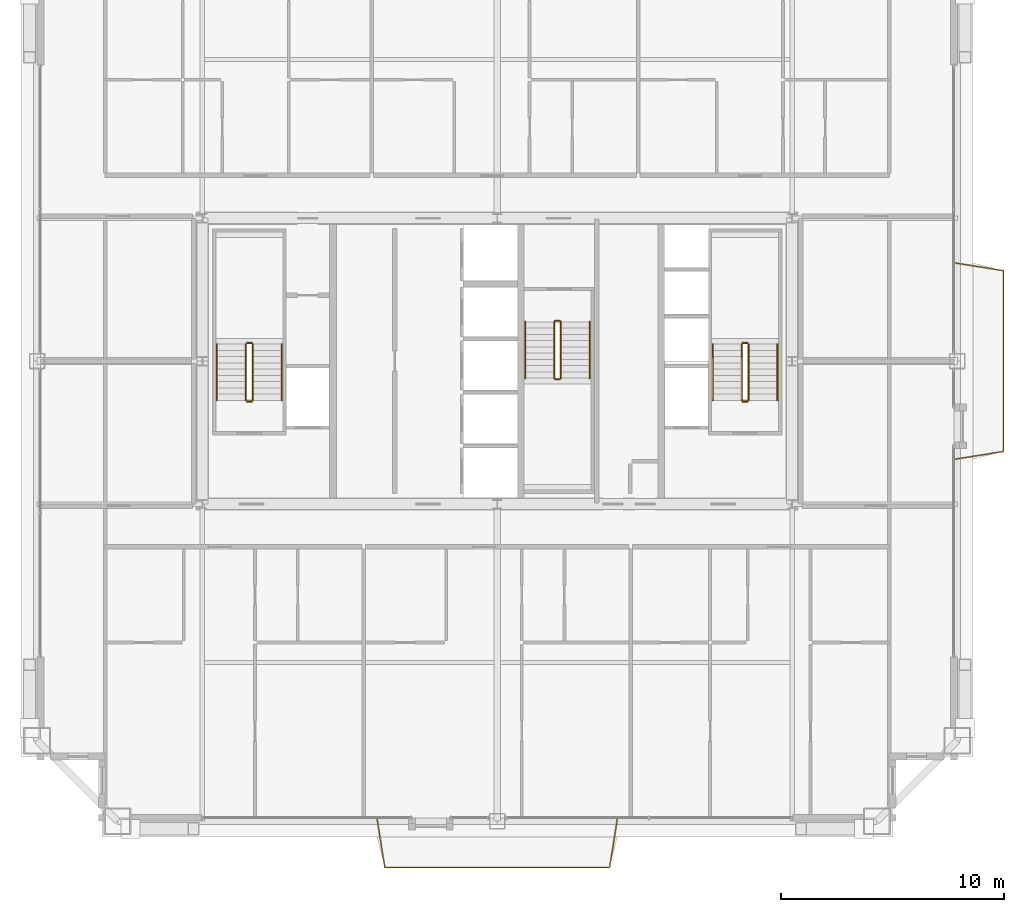
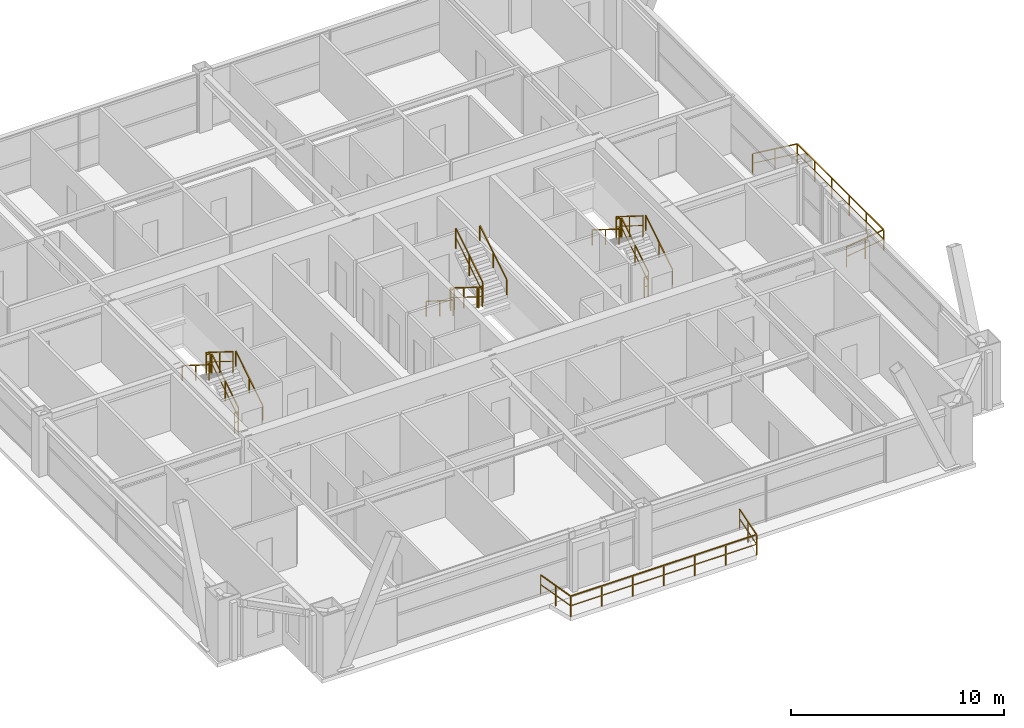
# One storey, part 35 of 35: 20 railings.
"""IFC4 building model written with IfcOpenShell, lengths in metres."""

from ifc_helpers import new_model, si_unit, direction, frame, origin, origin_2d, place, context, subcontext, project, spatial, rectangle, extrude, source, transform, mapped, material, layer, layer_set, type_object, element, save


model = new_model("IFC4")

# Units and contexts
model_context = context("Model", 3, precision=1e-05, world=origin(), true_north=direction((0.0, 1.0)))
body_context = subcontext(model_context, "Body", "Model", "MODEL_VIEW")
ifc_project = project(units=[si_unit("LENGTHUNIT", "METRE"), si_unit("AREAUNIT", "SQUARE_METRE"), si_unit("VOLUMEUNIT", "CUBIC_METRE"), si_unit("PLANEANGLEUNIT", "RADIAN"), si_unit("MASSUNIT", "GRAM", prefix="KILO"), si_unit("THERMODYNAMICTEMPERATUREUNIT", "KELVIN"), si_unit("POWERUNIT", "WATT")], contexts=[model_context])

# Site, building, storey
site_placement = place(None, origin())
site = spatial("IfcSite", under=ifc_project, at=site_placement, CompositionType="ELEMENT")
building_placement = place(site_placement, origin())
building = spatial("IfcBuilding", under=site, at=building_placement, Name="Yuzanri Waterfront Tower", CompositionType="ELEMENT")
storey_placement = place(building_placement, frame((0.0, 0.0, 248.60009765625)))
storey = spatial("IfcBuildingStorey", under=building, at=storey_placement, Name="L66", CompositionType="ELEMENT", Elevation=248.60009765625)

# Railings
ifc_material_1 = material(Name="Anodized Architectural Bronze", Category="metal")
ifc_layer_1 = layer(ifc_material_1, 0.080078125)
ifc_layer_set_1 = layer_set([ifc_layer_1], Name="Anodized Architectural Bronze")
railing_type_1 = type_object("IfcRailingType", Name="Laminated Glass and Bronze Balcony Guardrail 1200", PredefinedType="BALUSTRADE", material=ifc_layer_set_1)
shared_shape_1 = source(origin(), body_context, "Body", "SweptSolid", [
    extrude(rectangle(XDim=0.050048828125, YDim=0.050048828125, at=origin_2d()), frame((0.0, 0.0, 1.1748046875), z_axis=(0.156113512569, -0.98773912102, 0.0), x_axis=(0.98773912102, 0.156113512569, 0.0)), (0.0, 0.0, 1.0), 2.24267578125),
    extrude(rectangle(XDim=0.035888671875, YDim=0.030029296875, at=origin_2d()), frame((0.0, 0.0, 0.6240234375), z_axis=(0.156113512569, -0.98773912102, 0.0), x_axis=(0.98773912102, 0.156113512569, 0.0)), (0.0, 0.0, 1.0), 2.24267578125),
    extrude(rectangle(XDim=0.050048828125, YDim=0.050048828125, at=origin_2d()), frame((0.35009765625, -2.215087890625, 1.1748046875), z_axis=(1.0, 0.0, 0.0), x_axis=(0.0, 1.0, 0.0)), (0.0, 0.0, 1.0), 10.07080078125),
    extrude(rectangle(XDim=0.035888671875, YDim=0.030029296875, at=origin_2d()), frame((0.35009765625, -2.215087890625, 0.6240234375), z_axis=(1.0, 0.0, 0.0), x_axis=(0.0, 1.0, 0.0)), (0.0, 0.0, 1.0), 10.07080078125),
    extrude(rectangle(XDim=0.050048828125, YDim=0.050048828125, at=origin_2d()), frame((10.4208984375, -2.215087890625, 1.1748046875), z_axis=(0.156113512569, 0.98773912102, 0.0), x_axis=(-0.98773912102, 0.156113512569, 0.0)), (0.0, 0.0, 1.0), 2.24267578125),
    extrude(rectangle(XDim=0.035888671875, YDim=0.030029296875, at=origin_2d()), frame((10.4208984375, -2.215087890625, 0.6240234375), z_axis=(0.156113512569, 0.98773912102, 0.0), x_axis=(-0.98773912102, 0.156113512569, 0.0)), (0.0, 0.0, 1.0), 2.24267578125),
    extrude(rectangle(XDim=0.0458984375, YDim=0.0458984375, at=origin_2d()), origin(), (0.0, 0.0, 1.0), 1.14990234375),
    extrude(rectangle(XDim=0.0458984375, YDim=0.0458984375, at=origin_2d()), frame((0.175048828125, -1.107421875, 0.0)), (0.0, 0.0, 1.0), 1.14990234375),
    extrude(rectangle(XDim=0.0458984375, YDim=0.0458984375, at=origin_2d()), frame((0.35009765625, -2.215087890625, 0.0)), (0.0, 0.0, 1.0), 1.14990234375),
    extrude(rectangle(XDim=0.0458984375, YDim=0.0458984375, at=origin_2d()), frame((2.028564453125, -2.215087890625, 0.0)), (0.0, 0.0, 1.0), 1.14990234375),
    extrude(rectangle(XDim=0.0458984375, YDim=0.0458984375, at=origin_2d()), frame((3.70703125, -2.215087890625, 0.0)), (0.0, 0.0, 1.0), 1.14990234375),
    extrude(rectangle(XDim=0.0458984375, YDim=0.0458984375, at=origin_2d()), frame((5.385498046875, -2.215087890625, 0.0)), (0.0, 0.0, 1.0), 1.14990234375),
    extrude(rectangle(XDim=0.0458984375, YDim=0.0458984375, at=origin_2d()), frame((7.06396484375, -2.215087890625, 0.0)), (0.0, 0.0, 1.0), 1.14990234375),
    extrude(rectangle(XDim=0.0458984375, YDim=0.0458984375, at=origin_2d()), frame((8.742431640625, -2.215087890625, 0.0)), (0.0, 0.0, 1.0), 1.14990234375),
    extrude(rectangle(XDim=0.0458984375, YDim=0.0458984375, at=origin_2d()), frame((10.4208984375, -2.215087890625, 0.0)), (0.0, 0.0, 1.0), 1.14990234375),
    extrude(rectangle(XDim=0.0458984375, YDim=0.0458984375, at=origin_2d()), frame((10.595947265625, -1.107421875, 0.0)), (0.0, 0.0, 1.0), 1.14990234375),
    extrude(rectangle(XDim=0.0458984375, YDim=0.0458984375, at=origin_2d()), frame((10.77099609375, 0.0, 0.0)), (0.0, 0.0, 1.0), 1.14990234375),
])
railing_1_placement = place(storey_placement, frame((31.614501953125, 5.35009765625, 0.0)))
element("IfcRailing", 1, at=railing_1_placement, inside=storey, type_object=railing_type_1, Name="L66 S Engawa Terrace Guardrail", PredefinedType="BALUSTRADE", context=body_context, shape_type="MappedRepresentation", body=[
    mapped(shared_shape_1, transform((0.0, 0.0, 0.0), scale=1.0)),
])
shared_shape_2 = source(origin(), body_context, "Body", "SweptSolid", [
    extrude(rectangle(XDim=0.050048828125, YDim=0.050048828125, at=origin_2d()), frame((0.0, 0.0, 1.1748046875), z_axis=(0.98773912102, 0.156113512569, 0.0), x_axis=(-0.156113512569, 0.98773912102, 0.0)), (0.0, 0.0, 1.0), 2.24267578125),
    extrude(rectangle(XDim=0.035888671875, YDim=0.030029296875, at=origin_2d()), frame((0.0, 0.0, 0.6240234375), z_axis=(0.98773912102, 0.156113512569, 0.0), x_axis=(-0.156113512569, 0.98773912102, 0.0)), (0.0, 0.0, 1.0), 2.24267578125),
    extrude(rectangle(XDim=0.050048828125, YDim=0.050048828125, at=origin_2d()), frame((2.215087890625, 0.35009765625, 1.1748046875), z_axis=(0.0, 1.0, 0.0), x_axis=(-1.0, 0.0, 0.0)), (0.0, 0.0, 1.0), 8.10009765625),
    extrude(rectangle(XDim=0.035888671875, YDim=0.030029296875, at=origin_2d()), frame((2.215087890625, 0.35009765625, 0.6240234375), z_axis=(0.0, 1.0, 0.0), x_axis=(-1.0, 0.0, 0.0)), (0.0, 0.0, 1.0), 8.10009765625),
    extrude(rectangle(XDim=0.050048828125, YDim=0.050048828125, at=origin_2d()), frame((2.215087890625, 8.4501953125, 1.1748046875), z_axis=(-0.987755902633, 0.156007297308, 0.0), x_axis=(-0.156007297308, -0.987755902633, 0.0)), (0.0, 0.0, 1.0), 2.242431640625),
    extrude(rectangle(XDim=0.035888671875, YDim=0.030029296875, at=origin_2d()), frame((2.215087890625, 8.4501953125, 0.6240234375), z_axis=(-0.987755902633, 0.156007297308, 0.0), x_axis=(-0.156007297308, -0.987755902633, 0.0)), (0.0, 0.0, 1.0), 2.242431640625),
    extrude(rectangle(XDim=0.0458984375, YDim=0.0458984375, at=origin_2d()), origin(), (0.0, 0.0, 1.0), 1.14990234375),
    extrude(rectangle(XDim=0.0458984375, YDim=0.0458984375, at=origin_2d()), frame((1.107421875, 0.175048828125, 0.0)), (0.0, 0.0, 1.0), 1.14990234375),
    extrude(rectangle(XDim=0.0458984375, YDim=0.0458984375, at=origin_2d()), frame((2.215087890625, 0.35009765625, 0.0)), (0.0, 0.0, 1.0), 1.14990234375),
    extrude(rectangle(XDim=0.0458984375, YDim=0.0458984375, at=origin_2d()), frame((2.215087890625, 1.97021484375, 0.0)), (0.0, 0.0, 1.0), 1.14990234375),
    extrude(rectangle(XDim=0.0458984375, YDim=0.0458984375, at=origin_2d()), frame((2.215087890625, 3.590087890625, 0.0)), (0.0, 0.0, 1.0), 1.14990234375),
    extrude(rectangle(XDim=0.0458984375, YDim=0.0458984375, at=origin_2d()), frame((2.215087890625, 5.210205078125, 0.0)), (0.0, 0.0, 1.0), 1.14990234375),
    extrude(rectangle(XDim=0.0458984375, YDim=0.0458984375, at=origin_2d()), frame((2.215087890625, 6.830078125, 0.0)), (0.0, 0.0, 1.0), 1.14990234375),
    extrude(rectangle(XDim=0.0458984375, YDim=0.0458984375, at=origin_2d()), frame((2.215087890625, 8.4501953125, 0.0)), (0.0, 0.0, 1.0), 1.14990234375),
    extrude(rectangle(XDim=0.0458984375, YDim=0.0458984375, at=origin_2d()), frame((1.107421875, 8.625, 0.0)), (0.0, 0.0, 1.0), 1.14990234375),
    extrude(rectangle(XDim=0.0458984375, YDim=0.0458984375, at=origin_2d()), frame((0.0, 8.800048828125, 0.0)), (0.0, 0.0, 1.0), 1.14990234375),
])
railing_2_placement = place(storey_placement, frame((57.449951171875, 21.39990234375, 0.0)))
element("IfcRailing", 2, at=railing_2_placement, inside=storey, type_object=railing_type_1, Name="L66 E Engawa Terrace Guardrail", PredefinedType="BALUSTRADE", context=body_context, shape_type="MappedRepresentation", body=[
    mapped(shared_shape_2, transform((0.0, 0.0, 0.0), scale=1.0)),
])
ifc_material_2 = material(Name="Painted Galvanized Fire Steel", Category="steel")
ifc_layer_2 = layer(ifc_material_2, 0.06005859375)
ifc_layer_set_2 = layer_set([ifc_layer_2], Name="Painted Galvanized Fire Steel")
railing_type_2 = type_object("IfcRailingType", Name="Painted Steel Stairwell Guardrail 1120", PredefinedType="GUARDRAIL", material=ifc_layer_set_2)
shared_shape_3 = source(origin(), body_context, "Body", "SweptSolid", [
    extrude(rectangle(XDim=0.050048828125, YDim=0.050048828125, at=origin_2d()), frame((0.0, 0.0, 1.1748046875), z_axis=(-1.0, 0.0, 0.0), x_axis=(0.0, -1.0, 0.0)), (0.0, 0.0, 1.0), 0.199951171875),
    extrude(rectangle(XDim=0.035888671875, YDim=0.030029296875, at=origin_2d()), frame((0.0, 0.0, 0.6240234375), z_axis=(-1.0, 0.0, 0.0), x_axis=(0.0, -1.0, 0.0)), (0.0, 0.0, 1.0), 0.199951171875),
    extrude(rectangle(XDim=0.0458984375, YDim=0.0458984375, at=origin_2d()), origin(), (0.0, 0.0, 1.0), 1.14990234375),
    extrude(rectangle(XDim=0.0458984375, YDim=0.0458984375, at=origin_2d()), frame((-0.199951171875, 0.0, 0.0)), (0.0, 0.0, 1.0), 1.14990234375),
])
for number, where, name in (
    (3, (26.0, 26.610107421875, 1.75), "L66 ST-01 stair guard 2"),
    (4, (26.0, 23.989990234375, 0.0), "L66 ST-01 stair guard 4"),
    (5, (48.199951171875, 26.610107421875, 1.75), "L66 ST-02 stair guard 2"),
    (6, (48.199951171875, 23.989990234375, 0.0), "L66 ST-02 stair guard 4"),
):
    element("IfcRailing", number, at=place(storey_placement, frame(where)), inside=storey, type_object=railing_type_2, Name=name, PredefinedType="GUARDRAIL", context=body_context, shape_type="MappedRepresentation", body=[
        mapped(shared_shape_3, transform((0.0, 0.0, 0.0), scale=1.0)),
    ])
shared_shape_4 = source(origin(), body_context, "Body", "SweptSolid", [
    extrude(rectangle(XDim=0.050048828125, YDim=0.050048828125, at=origin_2d()), frame((0.0, 0.0, 1.1748046875), z_axis=(0.0, 0.847970611238, 0.530043245855), x_axis=(-1.0, 0.0, 0.0)), (0.0, 0.0, 1.0), 2.971923828125),
    extrude(rectangle(XDim=0.035888671875, YDim=0.030029296875, at=origin_2d()), frame((0.0, 0.0, 0.6240234375), z_axis=(0.0, 0.847970611238, 0.530043245855), x_axis=(-1.0, 0.0, 0.0)), (0.0, 0.0, 1.0), 2.971923828125),
    extrude(rectangle(XDim=0.0458984375, YDim=0.0458984375, at=origin_2d()), origin(), (0.0, 0.0, 1.0), 1.14990234375),
    extrude(rectangle(XDim=0.0458984375, YDim=0.0458984375, at=origin_2d()), frame((0.0, 1.260009765625, 0.78759765625)), (0.0, 0.0, 1.0), 1.14990234375),
    extrude(rectangle(XDim=0.0458984375, YDim=0.0458984375, at=origin_2d()), frame((0.0, 2.52001953125, 1.5751953125)), (0.0, 0.0, 1.0), 1.14990234375),
])
for number, where, name in (
    (7, (26.050048828125, 24.0400390625, 0.1748046875), "L66 ST-01 stair guard 1"),
    (8, (48.25, 24.0400390625, 0.1748046875), "L66 ST-02 stair guard 1"),
    (9, (39.85009765625, 25.0400390625, 1.9248046875), "L66 ST-03 stair guard 3"),
):
    element("IfcRailing", number, at=place(storey_placement, frame(where)), inside=storey, type_object=railing_type_2, Name=name, PredefinedType="GUARDRAIL", context=body_context, shape_type="MappedRepresentation", body=[
        mapped(shared_shape_4, transform((0.0, 0.0, 0.0), scale=1.0)),
    ])
shared_shape_5 = source(origin(), body_context, "Body", "SweptSolid", [
    extrude(rectangle(XDim=0.050048828125, YDim=0.050048828125, at=origin_2d()), frame((0.0, 0.0, 1.1748046875), z_axis=(0.0, -0.847970611238, 0.530043245855), x_axis=(1.0, 0.0, 0.0)), (0.0, 0.0, 1.0), 2.971923828125),
    extrude(rectangle(XDim=0.035888671875, YDim=0.030029296875, at=origin_2d()), frame((0.0, 0.0, 0.6240234375), z_axis=(0.0, -0.847970611238, 0.530043245855), x_axis=(1.0, 0.0, 0.0)), (0.0, 0.0, 1.0), 2.971923828125),
    extrude(rectangle(XDim=0.0458984375, YDim=0.0458984375, at=origin_2d()), origin(), (0.0, 0.0, 1.0), 1.14990234375),
    extrude(rectangle(XDim=0.0458984375, YDim=0.0458984375, at=origin_2d()), frame((0.0, -1.260009765625, 0.78759765625)), (0.0, 0.0, 1.0), 1.14990234375),
    extrude(rectangle(XDim=0.0458984375, YDim=0.0458984375, at=origin_2d()), frame((0.0, -2.52001953125, 1.5751953125)), (0.0, 0.0, 1.0), 1.14990234375),
])
for number, where, name in (
    (10, (25.75, 26.56005859375, 1.9248046875), "L66 ST-01 stair guard 3"),
    (11, (47.949951171875, 26.56005859375, 1.9248046875), "L66 ST-02 stair guard 3"),
    (12, (39.550048828125, 27.56005859375, 0.1748046875), "L66 ST-03 stair guard 1"),
):
    element("IfcRailing", number, at=place(storey_placement, frame(where)), inside=storey, type_object=railing_type_2, Name=name, PredefinedType="GUARDRAIL", context=body_context, shape_type="MappedRepresentation", body=[
        mapped(shared_shape_5, transform((0.0, 0.0, 0.0), scale=1.0)),
    ])
ifc_material_3 = material(Name="Anodized Architectural Bronze", Category="metal")
ifc_layer_3 = layer(ifc_material_3, 0.050048828125)
ifc_layer_set_3 = layer_set([ifc_layer_3], Name="Anodized Architectural Bronze")
railing_type_3 = type_object("IfcRailingType", Name="Brushed Bronze Stair Pitch Handrail 920", PredefinedType="HANDRAIL", material=ifc_layer_set_3)
shared_shape_6 = source(origin(), body_context, "Body", "SweptSolid", [
    extrude(rectangle(XDim=0.050048828125, YDim=0.050048828125, at=origin_2d()), frame((0.0, 0.0, 0.875), z_axis=(0.0, 0.847970611238, 0.530043245855), x_axis=(-1.0, 0.0, 0.0)), (0.0, 0.0, 1.0), 2.971923828125),
    extrude(rectangle(XDim=0.0458984375, YDim=0.0458984375, at=origin_2d()), origin(), (0.0, 0.0, 1.0), 0.849853515625),
    extrude(rectangle(XDim=0.0458984375, YDim=0.0458984375, at=origin_2d()), frame((0.0, 1.260009765625, 0.78759765625)), (0.0, 0.0, 1.0), 0.849853515625),
    extrude(rectangle(XDim=0.0458984375, YDim=0.0458984375, at=origin_2d()), frame((0.0, 2.52001953125, 1.5751953125)), (0.0, 0.0, 1.0), 0.849853515625),
])
for number, where, name in (
    (13, (27.35009765625, 24.0400390625, 0.1748046875), "L66 ST-01 stair handrail 1"),
    (14, (49.550048828125, 24.0400390625, 0.1748046875), "L66 ST-02 stair handrail 1"),
    (15, (41.14990234375, 25.0400390625, 1.9248046875), "L66 ST-03 stair handrail 2"),
):
    element("IfcRailing", number, at=place(storey_placement, frame(where)), inside=storey, type_object=railing_type_3, Name=name, PredefinedType="HANDRAIL", context=body_context, shape_type="MappedRepresentation", body=[
        mapped(shared_shape_6, transform((0.0, 0.0, 0.0), scale=1.0)),
    ])
shared_shape_7 = source(origin(), body_context, "Body", "SweptSolid", [
    extrude(rectangle(XDim=0.050048828125, YDim=0.050048828125, at=origin_2d()), frame((0.0, 0.0, 0.875), z_axis=(0.0, -0.847970611238, 0.530043245855), x_axis=(1.0, 0.0, 0.0)), (0.0, 0.0, 1.0), 2.971923828125),
    extrude(rectangle(XDim=0.0458984375, YDim=0.0458984375, at=origin_2d()), origin(), (0.0, 0.0, 1.0), 0.849853515625),
    extrude(rectangle(XDim=0.0458984375, YDim=0.0458984375, at=origin_2d()), frame((0.0, -1.260009765625, 0.78759765625)), (0.0, 0.0, 1.0), 0.849853515625),
    extrude(rectangle(XDim=0.0458984375, YDim=0.0458984375, at=origin_2d()), frame((0.0, -2.52001953125, 1.5751953125)), (0.0, 0.0, 1.0), 0.849853515625),
])
for number, where, name in (
    (16, (24.449951171875, 26.56005859375, 1.9248046875), "L66 ST-01 stair handrail 2"),
    (17, (46.64990234375, 26.56005859375, 1.9248046875), "L66 ST-02 stair handrail 2"),
    (18, (38.25, 27.56005859375, 0.1748046875), "L66 ST-03 stair handrail 1"),
):
    element("IfcRailing", number, at=place(storey_placement, frame(where)), inside=storey, type_object=railing_type_3, Name=name, PredefinedType="HANDRAIL", context=body_context, shape_type="MappedRepresentation", body=[
        mapped(shared_shape_7, transform((0.0, 0.0, 0.0), scale=1.0)),
    ])
shared_shape_8 = source(origin(), body_context, "Body", "SweptSolid", [
    extrude(rectangle(XDim=0.050048828125, YDim=0.050048828125, at=origin_2d()), frame((0.0, 0.0, 1.1748046875), z_axis=(1.0, 0.0, 0.0), x_axis=(0.0, 1.0, 0.0)), (0.0, 0.0, 1.0), 0.199951171875),
    extrude(rectangle(XDim=0.035888671875, YDim=0.030029296875, at=origin_2d()), frame((0.0, 0.0, 0.6240234375), z_axis=(1.0, 0.0, 0.0), x_axis=(0.0, 1.0, 0.0)), (0.0, 0.0, 1.0), 0.199951171875),
    extrude(rectangle(XDim=0.0458984375, YDim=0.0458984375, at=origin_2d()), origin(), (0.0, 0.0, 1.0), 1.14990234375),
    extrude(rectangle(XDim=0.0458984375, YDim=0.0458984375, at=origin_2d()), frame((0.199951171875, 0.0, 0.0)), (0.0, 0.0, 1.0), 1.14990234375),
])
for number, where, name in (
    (19, (39.60009765625, 24.989990234375, 1.75), "L66 ST-03 stair guard 2"),
    (20, (39.60009765625, 27.610107421875, 0.0), "L66 ST-03 stair guard 4"),
):
    element("IfcRailing", number, at=place(storey_placement, frame(where)), inside=storey, type_object=railing_type_2, Name=name, PredefinedType="GUARDRAIL", context=body_context, shape_type="MappedRepresentation", body=[
        mapped(shared_shape_8, transform((0.0, 0.0, 0.0), scale=1.0)),
    ])

save(model, "model.ifc")
